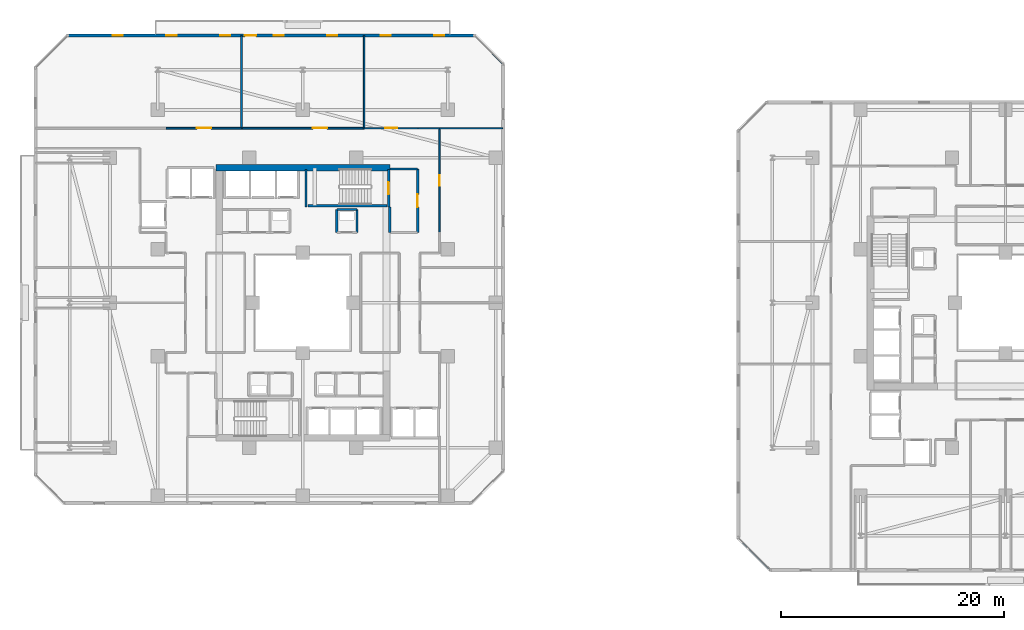
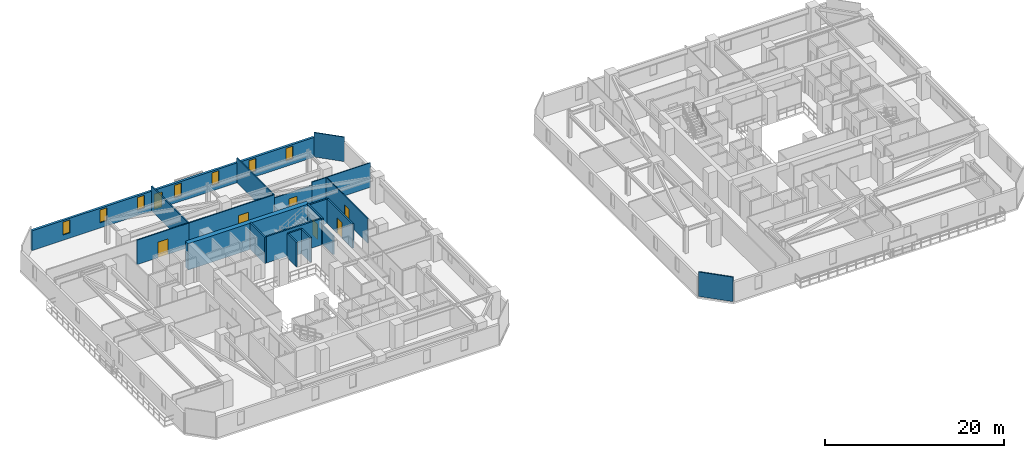
# One storey, part 22 of 33: 21 walls, 7 doors, 7 windows, 14 openings.
"""IFC4 building model written with IfcOpenShell, lengths in metres."""

from ifc_helpers import new_model, si_unit, direction, frame, frame_2d, origin, place, context, subcontext, project, spatial, rectangle, extrude, material, layer, layer_set, type_object, element, fill, save


model = new_model("IFC4")

# Units and contexts
model_context = context("Model", 3, precision=1e-05, world=origin(), true_north=direction((0.0, 1.0)))
body_context = subcontext(model_context, "Body", "Model", "MODEL_VIEW")
ifc_project = project(units=[si_unit("LENGTHUNIT", "METRE"), si_unit("AREAUNIT", "SQUARE_METRE"), si_unit("VOLUMEUNIT", "CUBIC_METRE"), si_unit("PLANEANGLEUNIT", "RADIAN"), si_unit("MASSUNIT", "GRAM", prefix="KILO")], contexts=[model_context])

# Site, building, storey
site_placement = place(None, origin())
site = spatial("IfcSite", under=ifc_project, at=site_placement, CompositionType="ELEMENT")
building_placement = place(site_placement, origin())
building = spatial("IfcBuilding", under=site, at=building_placement, Name="Thornwick Lancets Civic Towers", CompositionType="ELEMENT")
storey_placement = place(building_placement, frame((0.0, 0.0, 112.5)))
storey = spatial("IfcBuildingStorey", under=building, at=storey_placement, Name="L29", CompositionType="ELEMENT", Elevation=112.5)

# Wall, opening, door
ifc_material_1 = material(Name="Concrete blockwork C40/50", Category="masonry")
ifc_layer_1 = layer(ifc_material_1, 0.199951171875, Name="Concrete blockwork C40/50")
ifc_layer_set_1 = layer_set([ifc_layer_1], Name="Concrete blockwork C40/50")
wall_type_1 = type_object("IfcWallType", Name="WALL_COMP_200", PredefinedType="STANDARD", material=ifc_layer_set_1)
wall_1_placement = place(storey_placement, frame((35.800048828125, 33.300048828125, 0.0), z_axis=(0.0, 0.0, 1.0), x_axis=(0.0, 1.0, 0.0)))
wall_1 = element("IfcWall", 1, at=wall_1_placement, inside=storey, type_object=wall_type_1, Name="L29 Partition L29-A-FFLOB2 E2", PredefinedType="STANDARD", context=body_context, shape_type="SweptSolid", body=[
    extrude(rectangle(XDim=5.699951171875, YDim=0.199951171875, at=frame_2d((2.85009765625, 0.0))), origin(), (0.0, 0.0, 1.0), 3.340087890625),
])
opening_1_placement = place(wall_1_placement, frame((2.27490234375, 0.0, 0.0)))
opening_1 = element("IfcOpeningElement", 2, at=opening_1_placement, cuts=wall_1, Name="Opening D-L29-1322", PredefinedType="OPENING", context=body_context, shape_type="SweptSolid", body=[
    extrude(rectangle(XDim=1.14990234375, YDim=2.10009765625, at=frame_2d((0.574951171875, 1.050048828125))), frame((0.0, 0.10986328125, 0.0), z_axis=(0.0, -1.0, 0.0), x_axis=(1.0, 0.0, 0.0)), (0.0, 0.0, 1.0), 0.219970703125),
])
ifc_material_2 = material(Name="Glazed fire-resisting steel", Category="steel")
door_type_1 = type_object("IfcDoorType", Name="DOOR_LOBBY_FD60", OperationType="NOTDEFINED", PredefinedType="DOOR", material=ifc_material_2)
door_1_placement = place(opening_1_placement, origin())
door_1 = element("IfcDoor", 3, at=door_1_placement, inside=storey, type_object=door_type_1, Name="L29 North Firefighting Lobby 2 Door", OperationType="SINGLE_SWING_LEFT", OverallHeight=2.10009765625, OverallWidth=1.14990234375, PredefinedType="DOOR", context=body_context, shape_type="SweptSolid", body=[
    extrude(rectangle(XDim=1.14990234375, YDim=2.10009765625, at=frame_2d((0.574951171875, 1.050048828125))), frame((0.0, 0.02490234375, 0.0), z_axis=(0.0, -1.0, 0.0), x_axis=(1.0, 0.0, 0.0)), (0.0, 0.0, 1.0), 0.050048828125),
])
fill(opening_1, door_1)

# Walls
wall_2_placement = place(storey_placement, frame((35.800048828125, 39.0, 0.0), z_axis=(0.0, 0.0, 1.0), x_axis=(-1.0, 0.0, 0.0)))
element("IfcWall", 4, at=wall_2_placement, inside=storey, type_object=wall_type_1, Name="L29 Partition L29-A-FFLOB2 E3", PredefinedType="STANDARD", context=body_context, shape_type="SweptSolid", body=[
    extrude(rectangle(XDim=2.5, YDim=0.199951171875, at=frame_2d((1.25, 0.0))), origin(), (0.0, 0.0, 1.0), 3.340087890625),
])
wall_3_placement = place(storey_placement, frame((33.300048828125, 35.60009765625, 0.0), z_axis=(0.0, 0.0, 1.0), x_axis=(0.0, -1.0, 0.0)))
element("IfcWall", 5, at=wall_3_placement, inside=storey, type_object=wall_type_1, Name="L29 Partition L29-A-FFLOB2 E4", PredefinedType="STANDARD", context=body_context, shape_type="SweptSolid", body=[
    extrude(rectangle(XDim=2.300048828125, YDim=0.199951171875, at=frame_2d((1.14990234375, 0.0))), origin(), (0.0, 0.0, 1.0), 2.544921875),
])
wall_4_placement = place(storey_placement, frame((30.35009765625, 33.300048828125, 0.0), z_axis=(0.0, 0.0, 1.0), x_axis=(0.0, 1.0, 0.0)))
element("IfcWall", 6, at=wall_4_placement, inside=storey, type_object=wall_type_1, Name="L29 Partition L29-A-RISER2 E2", PredefinedType="STANDARD", context=body_context, shape_type="SweptSolid", body=[
    extrude(rectangle(XDim=2.050048828125, YDim=0.199951171875, at=frame_2d((1.02490234375, 0.0))), origin(), (0.0, 0.0, 1.0), 3.340087890625),
])
wall_5_placement = place(storey_placement, frame((30.35009765625, 35.35009765625, 0.0), z_axis=(0.0, 0.0, 1.0), x_axis=(-1.0, 0.0, 0.0)))
element("IfcWall", 7, at=wall_5_placement, inside=storey, type_object=wall_type_1, Name="L29 Partition L29-A-RISER2 E3", PredefinedType="STANDARD", context=body_context, shape_type="SweptSolid", body=[
    extrude(rectangle(XDim=1.800048828125, YDim=0.199951171875, at=frame_2d((0.89990234375, 0.0))), origin(), (0.0, 0.0, 1.0), 3.340087890625),
])
wall_6_placement = place(storey_placement, frame((28.550048828125, 35.35009765625, 0.0), z_axis=(0.0, 0.0, 1.0), x_axis=(0.0, -1.0, 0.0)))
element("IfcWall", 8, at=wall_6_placement, inside=storey, type_object=wall_type_1, Name="L29 Partition L29-A-RISER2 E4", PredefinedType="STANDARD", context=body_context, shape_type="SweptSolid", body=[
    extrude(rectangle(XDim=2.050048828125, YDim=0.199951171875, at=frame_2d((1.02490234375, 0.0))), origin(), (0.0, 0.0, 1.0), 3.340087890625),
])
ifc_material_3 = material(Name="Concrete C60/75", Category="concrete")
ifc_layer_2 = layer(ifc_material_3, 0.60009765625, Name="Concrete C60/75")
ifc_layer_set_2 = layer_set([ifc_layer_2], Name="Concrete C60/75")
wall_type_2 = type_object("IfcWallType", Name="WALL_CORE_600", PredefinedType="SHEAR", material=ifc_layer_set_2)
wall_7_placement = place(storey_placement, frame((17.699951171875, 39.10009765625, 0.0), z_axis=(0.0, 0.0, 1.0), x_axis=(1.0, 0.0, 0.0)))
element("IfcWall", 9, at=wall_7_placement, inside=storey, type_object=wall_type_2, Name="L29 Split Core A2 Shear Wall N", PredefinedType="SHEAR", context=body_context, shape_type="SweptSolid", body=[
    extrude(rectangle(XDim=15.60009765625, YDim=0.60009765625, at=frame_2d((7.800048828125, 0.0))), origin(), (0.0, 0.0, 1.0), 3.60009765625),
])

# Wall, openings, door, windows
ifc_material_4 = material(Name="Insulated russet terracotta rainscreen on concrete C40/50", Category="masonry")
ifc_layer_3 = layer(ifc_material_4, 0.300048828125, Name="Insulated russet terracotta rainscreen on concrete C40/50")
ifc_layer_set_3 = layer_set([ifc_layer_3], Name="Insulated russet terracotta rainscreen on concrete C40/50")
wall_type_3 = type_object("IfcWallType", Name="WALL_EXT_RUSSET_300", PredefinedType="STANDARD", material=ifc_layer_set_3)
wall_8_placement = place(storey_placement, frame((40.88134765625, 50.964599609375, 0.0), z_axis=(0.0, 0.0, 1.0), x_axis=(-0.999999999641, -2.6801568e-05, 0.0)))
wall_8 = element("IfcWall", 10, at=wall_8_placement, inside=storey, type_object=wall_type_3, Name="L29 Tower A Terracotta Facade Wall E4", PredefinedType="STANDARD", context=body_context, shape_type="SweptSolid", body=[
    extrude(rectangle(XDim=36.436767578125, YDim=0.300048828125, at=frame_2d((18.21826171875, 0.0))), origin(), (0.0, 0.0, 1.0), 2.699951171875),
])
opening_2_placement = place(wall_8_placement, frame((19.568359375, 0.0, 0.0)))
opening_2 = element("IfcOpeningElement", 11, at=opening_2_placement, cuts=wall_8, Name="Opening D-BL-L29-AN", PredefinedType="OPENING", context=body_context, shape_type="SweptSolid", body=[
    extrude(rectangle(XDim=1.0, YDim=2.080078125, at=frame_2d((0.5, 1.0400390625))), frame((0.0, 0.16015625, 0.0), z_axis=(0.0, -1.0, 0.0), x_axis=(1.0, 0.0, 0.0)), (0.0, 0.0, 1.0), 0.320068359375),
])
opening_3_placement = place(wall_8_placement, frame((2.699951171875, 0.0, 0.719970703125)))
opening_3 = element("IfcOpeningElement", 12, at=opening_3_placement, cuts=wall_8, Name="Opening WL-01", PredefinedType="OPENING", context=body_context, shape_type="SweptSolid", body=[
    extrude(rectangle(XDim=0.89990234375, YDim=1.75, at=frame_2d((0.449951171875, 0.875))), frame((0.0, 0.16015625, 0.0), z_axis=(0.0, -1.0, 0.0), x_axis=(1.0, 0.0, 0.0)), (0.0, 0.0, 1.0), 0.320068359375),
])
opening_4_placement = place(wall_8_placement, frame((7.5, 0.0, 0.719970703125)))
opening_4 = element("IfcOpeningElement", 13, at=opening_4_placement, cuts=wall_8, Name="Opening WL-01", PredefinedType="OPENING", context=body_context, shape_type="SweptSolid", body=[
    extrude(rectangle(XDim=0.89990234375, YDim=1.75, at=frame_2d((0.449951171875, 0.875))), frame((0.0, 0.16015625, 0.0), z_axis=(0.0, -1.0, 0.0), x_axis=(1.0, 0.0, 0.0)), (0.0, 0.0, 1.0), 0.320068359375),
])
opening_5_placement = place(wall_8_placement, frame((12.300048828125, 0.0, 0.719970703125)))
opening_5 = element("IfcOpeningElement", 14, at=opening_5_placement, cuts=wall_8, Name="Opening WL-01", PredefinedType="OPENING", context=body_context, shape_type="SweptSolid", body=[
    extrude(rectangle(XDim=0.89990234375, YDim=1.75, at=frame_2d((0.449951171875, 0.875))), frame((0.0, 0.16015625, 0.0), z_axis=(0.0, -1.0, 0.0), x_axis=(1.0, 0.0, 0.0)), (0.0, 0.0, 1.0), 0.320068359375),
])
opening_6_placement = place(wall_8_placement, frame((17.10009765625, 0.0, 0.719970703125)))
opening_6 = element("IfcOpeningElement", 15, at=opening_6_placement, cuts=wall_8, Name="Opening WL-01", PredefinedType="OPENING", context=body_context, shape_type="SweptSolid", body=[
    extrude(rectangle(XDim=0.89990234375, YDim=1.75, at=frame_2d((0.449951171875, 0.875))), frame((0.0, 0.16015625, 0.0), z_axis=(0.0, -1.0, 0.0), x_axis=(1.0, 0.0, 0.0)), (0.0, 0.0, 1.0), 0.320068359375),
])
opening_7_placement = place(wall_8_placement, frame((21.89990234375, 0.0, 0.719970703125)))
opening_7 = element("IfcOpeningElement", 16, at=opening_7_placement, cuts=wall_8, Name="Opening WL-01", PredefinedType="OPENING", context=body_context, shape_type="SweptSolid", body=[
    extrude(rectangle(XDim=0.89990234375, YDim=1.75, at=frame_2d((0.449951171875, 0.875))), frame((0.0, 0.16015625, 0.0), z_axis=(0.0, -1.0, 0.0), x_axis=(1.0, 0.0, 0.0)), (0.0, 0.0, 1.0), 0.320068359375),
])
opening_8_placement = place(wall_8_placement, frame((26.699951171875, 0.0, 0.719970703125)))
opening_8 = element("IfcOpeningElement", 17, at=opening_8_placement, cuts=wall_8, Name="Opening WL-01", PredefinedType="OPENING", context=body_context, shape_type="SweptSolid", body=[
    extrude(rectangle(XDim=0.89990234375, YDim=1.75, at=frame_2d((0.449951171875, 0.875))), frame((0.0, 0.16015625, 0.0), z_axis=(0.0, -1.0, 0.0), x_axis=(1.0, 0.0, 0.0)), (0.0, 0.0, 1.0), 0.320068359375),
])
opening_9_placement = place(wall_8_placement, frame((31.5, 0.0, 0.719970703125)))
opening_9 = element("IfcOpeningElement", 18, at=opening_9_placement, cuts=wall_8, Name="Opening WL-01", PredefinedType="OPENING", context=body_context, shape_type="SweptSolid", body=[
    extrude(rectangle(XDim=0.89990234375, YDim=1.75, at=frame_2d((0.449951171875, 0.875))), frame((0.0, 0.16015625, 0.0), z_axis=(0.0, -1.0, 0.0), x_axis=(1.0, 0.0, 0.0)), (0.0, 0.0, 1.0), 0.320068359375),
])
ifc_material_5 = material(Name="Thermally broken glazed loggia doorset")
door_type_2 = type_object("IfcDoorType", Name="DOOR_BALC_1000", OperationType="NOTDEFINED", PredefinedType="DOOR", material=ifc_material_5)
door_2_placement = place(opening_2_placement, origin())
door_2 = element("IfcDoor", 19, at=door_2_placement, inside=storey, type_object=door_type_2, Name="L29 Tower A Loggia Balcony Door N", OperationType="SINGLE_SWING_RIGHT", OverallHeight=2.080078125, OverallWidth=1.0, PredefinedType="DOOR", context=body_context, shape_type="SweptSolid", body=[
    extrude(rectangle(XDim=1.0, YDim=2.080078125, at=frame_2d((0.5, 1.0400390625))), frame((0.0, 0.02490234375, 0.0), z_axis=(0.0, -1.0, 0.0), x_axis=(1.0, 0.0, 0.0)), (0.0, 0.0, 1.0), 0.050048828125),
])
fill(opening_2, door_2)
ifc_material_6 = material(Name="Clear low-e double glazing in bronze frame", Category="glass")
window_type = type_object("IfcWindowType", Name="WIN_LANCET_900", PartitioningType="SINGLE_PANEL", PredefinedType="WINDOW", material=ifc_material_6)
window_1_placement = place(opening_3_placement, origin())
window_1 = element("IfcWindow", 20, at=window_1_placement, inside=storey, type_object=window_type, Name="L29 Tower A Staggered Lancet Window E4-1", OverallHeight=1.75, OverallWidth=0.89990234375, PartitioningType="SINGLE_PANEL", PredefinedType="WINDOW", context=body_context, shape_type="SweptSolid", body=[
    extrude(rectangle(XDim=0.89990234375, YDim=1.75, at=frame_2d((0.449951171875, 0.875))), frame((0.0, 0.030029296875, 0.0), z_axis=(0.0, -1.0, 0.0), x_axis=(1.0, 0.0, 0.0)), (0.0, 0.0, 1.0), 0.06005859375),
])
fill(opening_3, window_1)
window_2_placement = place(opening_4_placement, origin())
window_2 = element("IfcWindow", 21, at=window_2_placement, inside=storey, type_object=window_type, Name="L29 Tower A Staggered Lancet Window E4-2", OverallHeight=1.75, OverallWidth=0.89990234375, PartitioningType="SINGLE_PANEL", PredefinedType="WINDOW", context=body_context, shape_type="SweptSolid", body=[
    extrude(rectangle(XDim=0.89990234375, YDim=1.75, at=frame_2d((0.449951171875, 0.875))), frame((0.0, 0.030029296875, 0.0), z_axis=(0.0, -1.0, 0.0), x_axis=(1.0, 0.0, 0.0)), (0.0, 0.0, 1.0), 0.06005859375),
])
fill(opening_4, window_2)
window_3_placement = place(opening_5_placement, origin())
window_3 = element("IfcWindow", 22, at=window_3_placement, inside=storey, type_object=window_type, Name="L29 Tower A Staggered Lancet Window E4-3", OverallHeight=1.75, OverallWidth=0.89990234375, PartitioningType="SINGLE_PANEL", PredefinedType="WINDOW", context=body_context, shape_type="SweptSolid", body=[
    extrude(rectangle(XDim=0.89990234375, YDim=1.75, at=frame_2d((0.449951171875, 0.875))), frame((0.0, 0.030029296875, 0.0), z_axis=(0.0, -1.0, 0.0), x_axis=(1.0, 0.0, 0.0)), (0.0, 0.0, 1.0), 0.06005859375),
])
fill(opening_5, window_3)
window_4_placement = place(opening_6_placement, origin())
window_4 = element("IfcWindow", 23, at=window_4_placement, inside=storey, type_object=window_type, Name="L29 Tower A Staggered Lancet Window E4-4", OverallHeight=1.75, OverallWidth=0.89990234375, PartitioningType="SINGLE_PANEL", PredefinedType="WINDOW", context=body_context, shape_type="SweptSolid", body=[
    extrude(rectangle(XDim=0.89990234375, YDim=1.75, at=frame_2d((0.449951171875, 0.875))), frame((0.0, 0.030029296875, 0.0), z_axis=(0.0, -1.0, 0.0), x_axis=(1.0, 0.0, 0.0)), (0.0, 0.0, 1.0), 0.06005859375),
])
fill(opening_6, window_4)
window_5_placement = place(opening_7_placement, origin())
window_5 = element("IfcWindow", 24, at=window_5_placement, inside=storey, type_object=window_type, Name="L29 Tower A Staggered Lancet Window E4-5", OverallHeight=1.75, OverallWidth=0.89990234375, PartitioningType="SINGLE_PANEL", PredefinedType="WINDOW", context=body_context, shape_type="SweptSolid", body=[
    extrude(rectangle(XDim=0.89990234375, YDim=1.75, at=frame_2d((0.449951171875, 0.875))), frame((0.0, 0.030029296875, 0.0), z_axis=(0.0, -1.0, 0.0), x_axis=(1.0, 0.0, 0.0)), (0.0, 0.0, 1.0), 0.06005859375),
])
fill(opening_7, window_5)
window_6_placement = place(opening_8_placement, origin())
window_6 = element("IfcWindow", 25, at=window_6_placement, inside=storey, type_object=window_type, Name="L29 Tower A Staggered Lancet Window E4-6", OverallHeight=1.75, OverallWidth=0.89990234375, PartitioningType="SINGLE_PANEL", PredefinedType="WINDOW", context=body_context, shape_type="SweptSolid", body=[
    extrude(rectangle(XDim=0.89990234375, YDim=1.75, at=frame_2d((0.449951171875, 0.875))), frame((0.0, 0.030029296875, 0.0), z_axis=(0.0, -1.0, 0.0), x_axis=(1.0, 0.0, 0.0)), (0.0, 0.0, 1.0), 0.06005859375),
])
fill(opening_8, window_6)
window_7_placement = place(opening_9_placement, origin())
window_7 = element("IfcWindow", 26, at=window_7_placement, inside=storey, type_object=window_type, Name="L29 Tower A Staggered Lancet Window E4-7", OverallHeight=1.75, OverallWidth=0.89990234375, PartitioningType="SINGLE_PANEL", PredefinedType="WINDOW", context=body_context, shape_type="SweptSolid", body=[
    extrude(rectangle(XDim=0.89990234375, YDim=1.75, at=frame_2d((0.449951171875, 0.875))), frame((0.0, 0.030029296875, 0.0), z_axis=(0.0, -1.0, 0.0), x_axis=(1.0, 0.0, 0.0)), (0.0, 0.0, 1.0), 0.06005859375),
])
fill(opening_9, window_7)

# Wall, opening, door
ifc_material_7 = material(Name="Acoustic gypsum board partition")
ifc_layer_4 = layer(ifc_material_7, 0.1201171875, Name="Acoustic gypsum board partition")
ifc_layer_set_4 = layer_set([ifc_layer_4], Name="Acoustic gypsum board partition")
wall_type_4 = type_object("IfcWallType", Name="WALL_PART_120", PredefinedType="PARTITIONING", material=ifc_layer_set_4)
wall_9_placement = place(storey_placement, frame((37.75, 33.300048828125, 0.0), z_axis=(0.0, 0.0, 1.0), x_axis=(0.0, 1.0, 0.0)))
wall_9 = element("IfcWall", 27, at=wall_9_placement, inside=storey, type_object=wall_type_4, Name="L29 Partition L29-A-E3 E3", PredefinedType="PARTITIONING", context=body_context, shape_type="SweptSolid", body=[
    extrude(rectangle(XDim=9.349853515625, YDim=0.1201171875, at=frame_2d((4.6748046875, 0.0))), origin(), (0.0, 0.0, 1.0), 3.340087890625),
])
opening_10_placement = place(wall_9_placement, frame((4.199951171875, 0.0, 0.0)))
opening_10 = element("IfcOpeningElement", 28, at=opening_10_placement, cuts=wall_9, Name="Opening D-L29-1348", PredefinedType="OPENING", context=body_context, shape_type="SweptSolid", body=[
    extrude(rectangle(XDim=0.949951171875, YDim=2.10009765625, at=frame_2d((0.47509765625, 1.050048828125))), frame((0.0, 0.070068359375, 0.0), z_axis=(0.0, -1.0, 0.0), x_axis=(1.0, 0.0, 0.0)), (0.0, 0.0, 1.0), 0.14013671875),
])
ifc_material_8 = material(Name="European oak acoustic doorset")
door_type_3 = type_object("IfcDoorType", Name="DOOR_OFFICE_950", OperationType="NOTDEFINED", PredefinedType="DOOR", material=ifc_material_8)
door_3_placement = place(opening_10_placement, origin())
door_3 = element("IfcDoor", 29, at=door_3_placement, inside=storey, type_object=door_type_3, Name="L29 Tower A Civic Seminar Room Door", OperationType="SINGLE_SWING_LEFT", OverallHeight=2.10009765625, OverallWidth=0.949951171875, PredefinedType="DOOR", context=body_context, shape_type="SweptSolid", body=[
    extrude(rectangle(XDim=0.949951171875, YDim=2.10009765625, at=frame_2d((0.47509765625, 1.050048828125))), frame((0.0, 0.02490234375, 0.0), z_axis=(0.0, -1.0, 0.0), x_axis=(1.0, 0.0, 0.0)), (0.0, 0.0, 1.0), 0.050048828125),
])
fill(opening_10, door_3)

# Walls
wall_10_placement = place(storey_placement, frame((37.75, 42.64990234375, 0.0), z_axis=(0.0, 0.0, 1.0), x_axis=(1.0, 0.0, 0.0)))
element("IfcWall", 30, at=wall_10_placement, inside=storey, type_object=wall_type_4, Name="L29 Partition L29-A-E3 E4", PredefinedType="PARTITIONING", context=body_context, shape_type="SweptSolid", body=[
    extrude(rectangle(XDim=5.669921875, YDim=0.1201171875, at=frame_2d((2.8349609375, 0.0))), origin(), (0.0, 0.0, 1.0), 3.340087890625),
])
wall_11_placement = place(storey_placement, frame((37.75, 42.64990234375, 0.0), z_axis=(0.0, 0.0, 1.0), x_axis=(-1.0, 0.0, 0.0)))
element("IfcWall", 31, at=wall_11_placement, inside=storey, type_object=wall_type_4, Name="L29 Partition L29-A-N-OFF E1", PredefinedType="PARTITIONING", context=body_context, shape_type="SweptSolid", body=[
    extrude(rectangle(XDim=1.89990234375, YDim=0.1201171875, at=frame_2d((0.949951171875, 0.0))), origin(), (0.0, 0.0, 1.0), 3.340087890625),
])

# Wall, opening, door
wall_12_placement = place(storey_placement, frame((35.85009765625, 42.64990234375, 0.0), z_axis=(0.0, 0.0, 1.0), x_axis=(-1.0, 0.0, 0.0)))
wall_12 = element("IfcWall", 32, at=wall_12_placement, inside=storey, type_object=wall_type_4, Name="L29 Partition L29-A-N-OFF E2", PredefinedType="PARTITIONING", context=body_context, shape_type="SweptSolid", body=[
    extrude(rectangle(XDim=4.85009765625, YDim=0.1201171875, at=frame_2d((2.425048828125, 0.0))), origin(), (0.0, 0.0, 1.0), 2.89501953125),
])
opening_11_placement = place(wall_12_placement, frame((1.89990234375, 0.0, 0.0)))
opening_11 = element("IfcOpeningElement", 33, at=opening_11_placement, cuts=wall_12, Name="Opening D-L29-1353", PredefinedType="OPENING", context=body_context, shape_type="SweptSolid", body=[
    extrude(rectangle(XDim=1.050048828125, YDim=2.10009765625, at=frame_2d((0.52490234375, 1.050048828125))), frame((0.0, 0.070068359375, 0.0), z_axis=(0.0, -1.0, 0.0), x_axis=(1.0, 0.0, 0.0)), (0.0, 0.0, 1.0), 0.14013671875),
])
ifc_material_9 = material(Name="Glazed European oak executive doorset")
door_type_4 = type_object("IfcDoorType", Name="DOOR_OFFICE_1050", OperationType="NOTDEFINED", PredefinedType="DOOR", material=ifc_material_9)
door_4_placement = place(opening_11_placement, origin())
door_4 = element("IfcDoor", 34, at=door_4_placement, inside=storey, type_object=door_type_4, Name="L29 Tower A North-East Policy Office Door", OperationType="SINGLE_SWING_RIGHT", OverallHeight=2.10009765625, OverallWidth=1.050048828125, PredefinedType="DOOR", context=body_context, shape_type="SweptSolid", body=[
    extrude(rectangle(XDim=1.050048828125, YDim=2.10009765625, at=frame_2d((0.52490234375, 1.050048828125))), frame((0.0, 0.02490234375, 0.0), z_axis=(0.0, -1.0, 0.0), x_axis=(1.0, 0.0, 0.0)), (0.0, 0.0, 1.0), 0.050048828125),
])
fill(opening_11, door_4)

# Walls
wall_13_placement = place(storey_placement, frame((40.92529296875, 50.919921875, 0.0), z_axis=(0.0, 0.0, 1.0), x_axis=(0.707106781187, -0.707106781187, 0.0)))
element("IfcWall", 35, at=wall_13_placement, inside=storey, type_object=wall_type_4, Name="L29 Partition L29-A-N-OFF E5", PredefinedType="PARTITIONING", context=body_context, shape_type="SweptSolid", body=[
    extrude(rectangle(XDim=3.52783203125, YDim=0.1201171875, at=frame_2d((1.763916015625, 0.0))), origin(), (0.0, 0.0, 1.0), 3.340087890625),
])
ifc_material_10 = material(Name="Twin-stud acoustic gypsum board")
ifc_layer_5 = layer(ifc_material_10, 0.14990234375, Name="Twin-stud acoustic gypsum board")
ifc_layer_set_5 = layer_set([ifc_layer_5], Name="Twin-stud acoustic gypsum board")
wall_type_5 = type_object("IfcWallType", Name="WALL_PART_150", PredefinedType="PARTITIONING", material=ifc_layer_set_5)
wall_14_placement = place(storey_placement, frame((20.0, 50.919921875, 0.0), z_axis=(0.0, 0.0, 1.0), x_axis=(0.0, -1.0, 0.0)))
element("IfcWall", 36, at=wall_14_placement, inside=storey, type_object=wall_type_5, Name="L29 Partition L29-A-N-CONF E5", PredefinedType="PARTITIONING", context=body_context, shape_type="SweptSolid", body=[
    extrude(rectangle(XDim=8.27001953125, YDim=0.14990234375, at=frame_2d((4.135009765625, 0.0))), origin(), (0.0, 0.0, 1.0), 3.340087890625),
])

# Wall, opening, door
wall_15_placement = place(storey_placement, frame((20.0, 42.64990234375, 0.0), z_axis=(0.0, 0.0, 1.0), x_axis=(-1.0, 0.0, 0.0)))
wall_15 = element("IfcWall", 37, at=wall_15_placement, inside=storey, type_object=wall_type_5, Name="L29 Partition L29-A-N-CONF E6", PredefinedType="PARTITIONING", context=body_context, shape_type="SweptSolid", body=[
    extrude(rectangle(XDim=6.75, YDim=0.14990234375, at=frame_2d((3.375, 0.0))), origin(), (0.0, 0.0, 1.0), 3.340087890625),
])
opening_12_placement = place(wall_15_placement, frame((2.72509765625, 0.0, 0.0)))
opening_12 = element("IfcOpeningElement", 38, at=opening_12_placement, cuts=wall_15, Name="Opening D-L29-1351", PredefinedType="OPENING", context=body_context, shape_type="SweptSolid", body=[
    extrude(rectangle(XDim=1.300048828125, YDim=2.1201171875, at=frame_2d((0.64990234375, 1.06005859375))), frame((0.0, 0.0849609375, 0.0), z_axis=(0.0, -1.0, 0.0), x_axis=(1.0, 0.0, 0.0)), (0.0, 0.0, 1.0), 0.169921875),
])
ifc_material_11 = material(Name="Acoustic oak leaf-and-a-half doorset")
door_type_5 = type_object("IfcDoorType", Name="DOOR_MEET_1300", OperationType="DOUBLE_DOOR_SINGLE_SWING", PredefinedType="DOOR", material=ifc_material_11)
door_5_placement = place(opening_12_placement, origin())
door_5 = element("IfcDoor", 39, at=door_5_placement, inside=storey, type_object=door_type_5, Name="L29 Tower A North-West Conference Room Door", OperationType="DOUBLE_DOOR_SINGLE_SWING", OverallHeight=2.1201171875, OverallWidth=1.300048828125, PredefinedType="DOOR", context=body_context, shape_type="SweptSolid", body=[
    extrude(rectangle(XDim=1.300048828125, YDim=2.1201171875, at=frame_2d((0.64990234375, 1.06005859375))), frame((0.0, 0.02490234375, 0.0), z_axis=(0.0, -1.0, 0.0), x_axis=(1.0, 0.0, 0.0)), (0.0, 0.0, 1.0), 0.050048828125),
])
fill(opening_12, door_5)

# Wall
wall_16_placement = place(storey_placement, frame((31.0, 50.919921875, 0.0), z_axis=(0.0, 0.0, 1.0), x_axis=(0.0, -1.0, 0.0)))
element("IfcWall", 40, at=wall_16_placement, inside=storey, type_object=wall_type_5, Name="L29 Partition L29-A-N-MEET E3", PredefinedType="PARTITIONING", context=body_context, shape_type="SweptSolid", body=[
    extrude(rectangle(XDim=8.27001953125, YDim=0.14990234375, at=frame_2d((4.135009765625, 0.0))), origin(), (0.0, 0.0, 1.0), 3.340087890625),
])

# Wall, opening, door
wall_17_placement = place(storey_placement, frame((31.0, 42.64990234375, 0.0), z_axis=(0.0, 0.0, 1.0), x_axis=(-1.0, 0.0, 0.0)))
wall_17 = element("IfcWall", 41, at=wall_17_placement, inside=storey, type_object=wall_type_5, Name="L29 Partition L29-A-N-MEET E4", PredefinedType="PARTITIONING", context=body_context, shape_type="SweptSolid", body=[
    extrude(rectangle(XDim=11.0, YDim=0.14990234375, at=frame_2d((5.5, 0.0))), origin(), (0.0, 0.0, 1.0), 3.340087890625),
])
opening_13_placement = place(wall_17_placement, frame((3.31005859375, 0.0, 0.0)))
opening_13 = element("IfcOpeningElement", 42, at=opening_13_placement, cuts=wall_17, Name="Opening D-L29-1352", PredefinedType="OPENING", context=body_context, shape_type="SweptSolid", body=[
    extrude(rectangle(XDim=1.300048828125, YDim=2.1201171875, at=frame_2d((0.64990234375, 1.06005859375))), frame((0.0, 0.0849609375, 0.0), z_axis=(0.0, -1.0, 0.0), x_axis=(1.0, 0.0, 0.0)), (0.0, 0.0, 1.0), 0.169921875),
])
door_6_placement = place(opening_13_placement, origin())
door_6 = element("IfcDoor", 43, at=door_6_placement, inside=storey, type_object=door_type_5, Name="L29 Tower A North Briefing Chamber Door", OperationType="DOUBLE_DOOR_SINGLE_SWING", OverallHeight=2.1201171875, OverallWidth=1.300048828125, PredefinedType="DOOR", context=body_context, shape_type="SweptSolid", body=[
    extrude(rectangle(XDim=1.300048828125, YDim=2.1201171875, at=frame_2d((0.64990234375, 1.06005859375))), frame((0.0, 0.02490234375, 0.0), z_axis=(0.0, -1.0, 0.0), x_axis=(1.0, 0.0, 0.0)), (0.0, 0.0, 1.0), 0.050048828125),
])
fill(opening_13, door_6)

# Wall
wall_18_placement = place(storey_placement, frame((67.401611328125, 3.080078125, 0.0), z_axis=(0.0, 0.0, 1.0), x_axis=(-0.707106781187, 0.707106781187, 0.0)))
element("IfcWall", 44, at=wall_18_placement, inside=storey, type_object=wall_type_5, Name="L29 Partition L29-B-N-CONF E3", PredefinedType="PARTITIONING", context=body_context, shape_type="SweptSolid", body=[
    extrude(rectangle(XDim=3.990234375, YDim=0.14990234375, at=frame_2d((1.9951171875, 0.0))), origin(), (0.0, 0.0, 1.0), 3.340087890625),
])

# Wall, opening, door
ifc_material_12 = material(Name="Concrete C40/50", Category="concrete")
ifc_layer_6 = layer(ifc_material_12, 0.199951171875, Name="Concrete C40/50")
ifc_layer_set_6 = layer_set([ifc_layer_6], Name="Concrete C40/50")
wall_type_6 = type_object("IfcWallType", Name="WALL_SHAFT_200", PredefinedType="SHEAR", material=ifc_layer_set_6)
wall_19_placement = place(storey_placement, frame((33.199951171875, 38.949951171875, 0.0), z_axis=(0.0, 0.0, 1.0), x_axis=(0.0, -1.0, 0.0)))
wall_19 = element("IfcWall", 45, at=wall_19_placement, inside=storey, type_object=wall_type_6, Name="L29 ST-A2 Fire Stair Core Wall NEAR", PredefinedType="SHEAR", context=body_context, shape_type="SweptSolid", body=[
    extrude(rectangle(XDim=3.349853515625, YDim=0.199951171875, at=frame_2d((1.6748046875, 0.0))), origin(), (0.0, 0.0, 1.0), 3.60009765625),
])
opening_14_placement = place(wall_19_placement, frame((1.125, 0.0, 0.0)))
opening_14 = element("IfcOpeningElement", 46, at=opening_14_placement, cuts=wall_19, Name="Opening D-ST-A2-L29", PredefinedType="OPENING", context=body_context, shape_type="SweptSolid", body=[
    extrude(rectangle(XDim=1.10009765625, YDim=2.10009765625, at=frame_2d((0.550048828125, 1.050048828125))), frame((0.0, 0.10986328125, 0.0), z_axis=(0.0, -1.0, 0.0), x_axis=(1.0, 0.0, 0.0)), (0.0, 0.0, 1.0), 0.219970703125),
])
ifc_material_13 = material(Name="Fire-resisting steel and hardwood", Category="steel")
door_type_6 = type_object("IfcDoorType", Name="DOOR_STAIR_FD60", OperationType="NOTDEFINED", PredefinedType="DOOR", material=ifc_material_13)
door_7_placement = place(opening_14_placement, origin())
door_7 = element("IfcDoor", 47, at=door_7_placement, inside=storey, type_object=door_type_6, Name="L29 ST-A2 Exit Stair Door", OperationType="SINGLE_SWING_LEFT", OverallHeight=2.10009765625, OverallWidth=1.10009765625, PredefinedType="DOOR", context=body_context, shape_type="SweptSolid", body=[
    extrude(rectangle(XDim=1.10009765625, YDim=2.10009765625, at=frame_2d((0.550048828125, 1.050048828125))), frame((0.0, 0.02490234375, 0.0), z_axis=(0.0, -1.0, 0.0), x_axis=(1.0, 0.0, 0.0)), (0.0, 0.0, 1.0), 0.050048828125),
])
fill(opening_14, door_7)

# Walls
wall_20_placement = place(storey_placement, frame((25.800048828125, 35.60009765625, 0.0), z_axis=(0.0, 0.0, 1.0), x_axis=(0.0, 1.0, 0.0)))
element("IfcWall", 48, at=wall_20_placement, inside=storey, type_object=wall_type_6, Name="L29 ST-A2 Fire Stair Core Wall FAR", PredefinedType="SHEAR", context=body_context, shape_type="SweptSolid", body=[
    extrude(rectangle(XDim=3.349853515625, YDim=0.199951171875, at=frame_2d((1.6748046875, 0.0))), origin(), (0.0, 0.0, 1.0), 3.60009765625),
])
wall_21_placement = place(storey_placement, frame((25.949951171875, 35.702880859375, 0.0), z_axis=(0.0, 0.0, 1.0), x_axis=(1.0, 0.0, 0.0)))
element("IfcWall", 49, at=wall_21_placement, inside=storey, type_object=wall_type_6, Name="L29 ST-A2 Fire Stair Core Wall RIGHT", PredefinedType="SHEAR", context=body_context, shape_type="SweptSolid", body=[
    extrude(rectangle(XDim=7.10009765625, YDim=0.199951171875, at=frame_2d((3.550048828125, 0.0))), origin(), (0.0, 0.0, 1.0), 3.60009765625),
])

save(model, "model.ifc")
